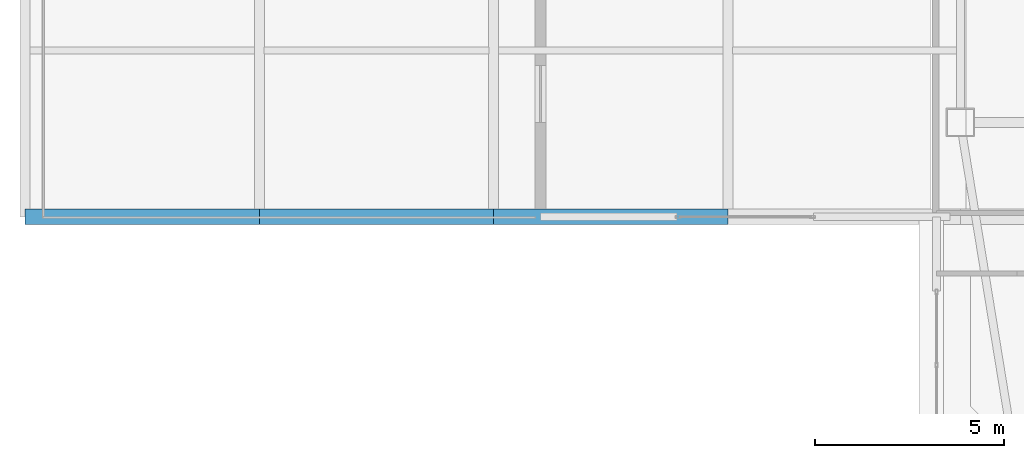
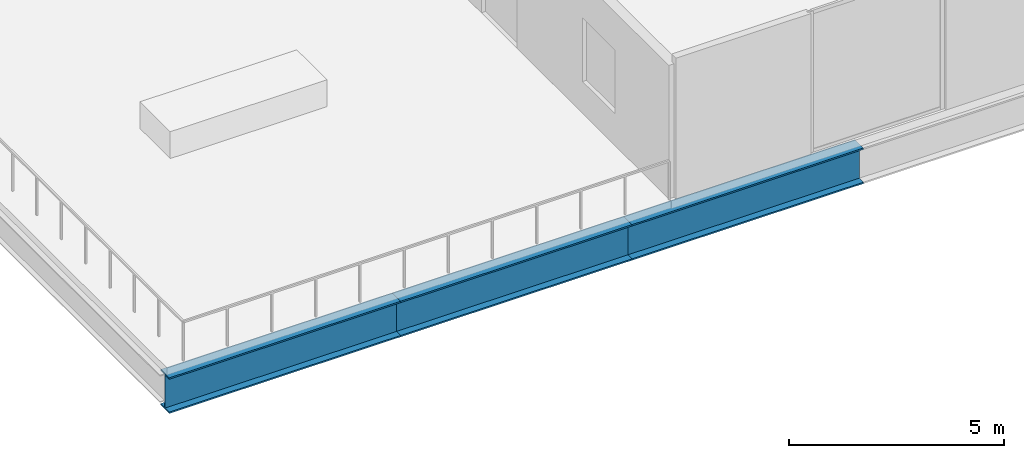
# One storey, part 3 of 51: 3 beams.
"""IFC4 building model written with IfcOpenShell, lengths in metres."""

import ifcopenshell
import ifcopenshell.guid

model = None  # the IFC model being written
_history = None  # IfcOwnerHistory: only IFC2X3 demands one
_inside = {}  # id of a spatial element -> (the spatial element, [elements in it])
_under = {}  # id of a project, library or spatial element -> (it, [spatial elements below it])
_declared = {}  # id of a project -> (the project, [libraries it declares])
_typed = {}  # id of a type object -> (the type object, [elements of that type])
_made_of = {}  # id of a material, layer set ... -> (it, [elements and type objects made of it])


def new_model(schema):
    """Start an empty IFC model of exactly this schema.

    Asked for "IFC4X3", IfcOpenShell would pick the latest addendum, in which some entities
    have other attributes; the version numbers below select the first issue.
    IFC2X3 requires an IfcOwnerHistory on every rooted entity: one is made here for all.
    """
    global model, _history
    if schema == "IFC4X3":
        model = ifcopenshell.file(schema_version=(4, 3, 0, 0))
    else:
        model = ifcopenshell.file(schema=schema)
    _inside.clear()
    _under.clear()
    _declared.clear()
    _typed.clear()
    _made_of.clear()
    _history = None
    if model.schema == "IFC2X3":
        org = make("IfcOrganization", Name="unknown")
        user = make(
            "IfcPersonAndOrganization",
            ThePerson=make("IfcPerson", FamilyName="unknown"),
            TheOrganization=org,
        )
        app = make(
            "IfcApplication",
            ApplicationDeveloper=org,
            Version="unknown",
            ApplicationFullName="unknown",
            ApplicationIdentifier="unknown",
        )
        _history = make(
            "IfcOwnerHistory",
            OwningUser=user,
            OwningApplication=app,
            ChangeAction="ADDED",
            CreationDate=0,
        )
    return model


def make(cls, **values):
    """One entity of the class cls with the attributes given. An attribute that is None is left unset."""
    return model.create_entity(
        cls, **{name: value for name, value in values.items() if value is not None}
    )


def rooted(cls, **values):
    """An entity with a GlobalId (a new one), such as an element, a storey or a relation."""
    return make(cls, GlobalId=ifcopenshell.guid.new(), OwnerHistory=_history, **values)


def si_unit(unit_type, name, prefix=None):
    """IfcSIUnit, for example si_unit("LENGTHUNIT", "METRE", prefix="MILLI")."""
    return make("IfcSIUnit", UnitType=unit_type, Prefix=prefix, Name=name)


def assignment(units):
    """IfcUnitAssignment: the units of a project."""
    return None if units is None else make("IfcUnitAssignment", Units=units)


def point(xyz):
    """IfcCartesianPoint."""
    return None if xyz is None else make("IfcCartesianPoint", Coordinates=xyz)


def direction(xyz):
    """IfcDirection."""
    return None if xyz is None else make("IfcDirection", DirectionRatios=xyz)


def frame(location, z_axis=None, x_axis=None):
    """IfcAxis2Placement3D, a coordinate frame: its origin and axes. An axis left out is left unset."""
    return make(
        "IfcAxis2Placement3D",
        Location=point(location),
        Axis=direction(z_axis),
        RefDirection=direction(x_axis),
    )


def frame_2d(location, x_axis=None):
    """IfcAxis2Placement2D, a coordinate frame in the plane: its origin and x axis."""
    return make(
        "IfcAxis2Placement2D", Location=point(location), RefDirection=direction(x_axis)
    )


def origin():
    """The frame at (0, 0, 0) with its axes left unset."""
    return frame((0.0, 0.0, 0.0))


def origin_2d():
    """The frame at (0, 0) in the plane with its x axis left unset."""
    return frame_2d((0.0, 0.0))


def place(relative_to, where):
    """IfcLocalPlacement: puts the frame where relative to a parent placement (None: the world)."""
    return make(
        "IfcLocalPlacement", PlacementRelTo=relative_to, RelativePlacement=where
    )


def context(
    kind, dimensions, precision=None, world=None, true_north=None, identifier=None
):
    """IfcGeometricRepresentationContext, for example the 3D "Model" context."""
    return make(
        "IfcGeometricRepresentationContext",
        ContextIdentifier=identifier,
        ContextType=kind,
        CoordinateSpaceDimension=dimensions,
        Precision=precision,
        WorldCoordinateSystem=world,
        TrueNorth=true_north,
    )


def subcontext(parent, identifier, kind, view, scale=None):
    """IfcGeometricRepresentationSubContext, for example "Body" below "Model"."""
    return make(
        "IfcGeometricRepresentationSubContext",
        ContextIdentifier=identifier,
        ContextType=kind,
        ParentContext=parent,
        TargetScale=scale,
        TargetView=view,
    )


def project(units=None, contexts=None):
    """IfcProject with its units and contexts."""
    return rooted(
        "IfcProject",
        Name="project",
        RepresentationContexts=contexts,
        UnitsInContext=assignment(units),
    )


def spatial(cls, under=None, at=None, **own):
    """A site, building, storey or space (cls), placed at a placement, below another one or the project."""
    s = rooted(cls, ObjectPlacement=at, **own)
    if under is not None:
        _under.setdefault(under.id(), (under, []))[1].append(s)
    return s


def profile(cls, at=None, kind="AREA", **sizes):
    """A parametric profile (cls). Its sizes go by their IFC names, for example OverallWidth=200.0."""
    return make(cls, ProfileType=kind, Position=at, **sizes)


def i_section(**sizes):
    """IfcIShapeProfileDef."""
    return profile("IfcIShapeProfileDef", **sizes)


def extrude(swept, where, along, depth):
    """IfcExtrudedAreaSolid: the profile swept, set in the frame where, extruded along a direction by depth."""
    return make(
        "IfcExtrudedAreaSolid",
        SweptArea=swept,
        Position=where,
        ExtrudedDirection=direction(along),
        Depth=depth,
    )


def shape(context_of_items, identifier, shape_type, items):
    """IfcShapeRepresentation: the items that make up one representation, for example the "Body"."""
    return make(
        "IfcShapeRepresentation",
        ContextOfItems=context_of_items,
        RepresentationIdentifier=identifier,
        RepresentationType=shape_type,
        Items=items,
    )


def material(Name=None, Category=None):
    """IfcMaterial."""
    return make("IfcMaterial", Name=Name, Category=Category)


def material_profile(
    of_material, cross_section, Name=None, Category=None, Priority=None
):
    """IfcMaterialProfile: a cross section and its material."""
    return make(
        "IfcMaterialProfile",
        Name=Name,
        Material=of_material,
        Profile=cross_section,
        Priority=Priority,
        Category=Category,
    )


def profile_set(profiles, Name=None, composite=None):
    """IfcMaterialProfileSet."""
    return make(
        "IfcMaterialProfileSet",
        Name=Name,
        MaterialProfiles=profiles,
        CompositeProfile=composite,
    )


def made_of(thing, what):
    """Note that an element or type object is made of a material, layer set ...; save() writes the relation."""
    if what is not None:
        _made_of.setdefault(what.id(), (what, []))[1].append(thing)
    return thing


def type_object(cls, material=None, **own):
    """A type object (cls), such as IfcWallType, which elements share."""
    return made_of(rooted(cls, **own), material)


def element(
    cls,
    number,
    at=None,
    inside=None,
    cuts=None,
    type_object=None,
    material=None,
    context=None,
    identifier="Body",
    shape_type=None,
    held_by="IfcProductDefinitionShape",
    body=None,
    shapes=None,
    **own,
):
    """One element of the class cls, such as IfcWall. Its Tag is "e" and its number.

    at: its placement. inside: the storey or other place that contains it. cuts: it is an
    opening in that element (IfcRelVoidsElement). A single representation is given by context,
    identifier, shape_type and body (its items); several are given by shapes. held_by: the class
    of the entity that holds the representations. save() writes the other relations.
    """
    e = rooted(cls, Tag="e%d" % number, ObjectPlacement=at, **own)
    if body is not None:
        shapes = [shape(context, identifier, shape_type, body)]
    if shapes is not None:
        e.Representation = make(held_by, Representations=shapes)
    if inside is not None:
        _inside.setdefault(inside.id(), (inside, []))[1].append(e)
    if cuts is not None:
        rooted(
            "IfcRelVoidsElement", RelatingBuildingElement=cuts, RelatedOpeningElement=e
        )
    if type_object is not None:
        _typed.setdefault(type_object.id(), (type_object, []))[1].append(e)
    return made_of(e, material)


def aggregate(whole, parts):
    """IfcRelAggregates: a whole, such as a stair, and the parts it consists of."""
    return rooted("IfcRelAggregates", RelatingObject=whole, RelatedObjects=parts)


def save(model, path):
    """Write the relations noted so far, then the file.

    IfcRelAggregates (storeys below a building ...), IfcRelContainedInSpatialStructure (elements
    in a storey), IfcRelDefinesByType, IfcRelAssociatesMaterial and IfcRelDeclares: one each for
    every whole, place, type object, material and project.
    """
    for whole, parts in _under.values():
        aggregate(whole, parts)
    for where, things in _inside.values():
        rooted(
            "IfcRelContainedInSpatialStructure",
            RelatedElements=things,
            RelatingStructure=where,
        )
    for kind, things in _typed.values():
        rooted("IfcRelDefinesByType", RelatedObjects=things, RelatingType=kind)
    for what, things in _made_of.values():
        rooted("IfcRelAssociatesMaterial", RelatedObjects=things, RelatingMaterial=what)
    for by, libraries in _declared.values():
        rooted("IfcRelDeclares", RelatingContext=by, RelatedDefinitions=libraries)
    model.write(path)


model = new_model("IFC4")

# Units and contexts
model_context = context("Model", 3, precision=1e-05, world=origin(), true_north=direction((0.0, 1.0)))
body_context = subcontext(model_context, "Body", "Model", "MODEL_VIEW")
ifc_project = project(units=[si_unit("LENGTHUNIT", "METRE"), si_unit("AREAUNIT", "SQUARE_METRE"), si_unit("VOLUMEUNIT", "CUBIC_METRE"), si_unit("PLANEANGLEUNIT", "RADIAN"), si_unit("MASSUNIT", "GRAM", prefix="KILO")], contexts=[model_context])

# Site, building, storey
site_placement = place(None, origin())
site = spatial("IfcSite", under=ifc_project, at=site_placement, CompositionType="ELEMENT")
building_placement = place(site_placement, origin())
building = spatial("IfcBuilding", under=site, at=building_placement, Name="Tashvorn Skyway Center", CompositionType="ELEMENT")
storey_placement = place(building_placement, frame((0.0, 0.0, 251.39990234375)))
storey = spatial("IfcBuildingStorey", under=building, at=storey_placement, Name="L68", CompositionType="ELEMENT", Elevation=251.39990234375)

# Beams
ifc_material = material(Name="Steel ASTM A913 Grade 65", Category="steel")
ifc_material_profile = material_profile(ifc_material, i_section(OverallWidth=0.40087890625, OverallDepth=1.010986328125, WebThickness=0.023681640625, FlangeThickness=0.0419921875, at=origin_2d()), Name="W40X297")
ifc_profile_set = profile_set([ifc_material_profile], Name="Steel ASTM A913 Grade 65")
beam_type = type_object("IfcBeamType", Name="BM-BEAM-W40X297", PredefinedType="BEAM", material=ifc_profile_set)
beam_1_placement = place(storey_placement, frame((2.199951171875, 24.10009765625, -0.725341796875), z_axis=(1.0, 0.0, 0.0), x_axis=(0.0, 1.0, 0.0)))
element("IfcBeam", 1, at=beam_1_placement, inside=storey, type_object=beam_type, Name="Sky-Park Truss 1 Bottom Chord Panel 01", PredefinedType="BEAM", context=body_context, shape_type="SweptSolid", body=[
    extrude(i_section(OverallWidth=0.40087890625, OverallDepth=1.010986328125, WebThickness=0.023681640625, FlangeThickness=0.0419921875, at=origin_2d()), origin(), (0.0, 0.0, 1.0), 6.199951171875),
])
beam_2_placement = place(storey_placement, frame((8.39990234375, 24.10009765625, -0.725341796875), z_axis=(1.0, 0.0, 0.0), x_axis=(0.0, 1.0, 0.0)))
element("IfcBeam", 2, at=beam_2_placement, inside=storey, type_object=beam_type, Name="Sky-Park Truss 1 Bottom Chord Panel 02", PredefinedType="BEAM", context=body_context, shape_type="SweptSolid", body=[
    extrude(i_section(OverallWidth=0.40087890625, OverallDepth=1.010986328125, WebThickness=0.023681640625, FlangeThickness=0.0419921875, at=origin_2d()), origin(), (0.0, 0.0, 1.0), 6.2001953125),
])
beam_3_placement = place(storey_placement, frame((14.60009765625, 24.10009765625, -0.725341796875), z_axis=(1.0, 0.0, 0.0), x_axis=(0.0, 1.0, 0.0)))
element("IfcBeam", 3, at=beam_3_placement, inside=storey, type_object=beam_type, Name="Sky-Park Truss 1 Bottom Chord Panel 03", PredefinedType="BEAM", context=body_context, shape_type="SweptSolid", body=[
    extrude(i_section(OverallWidth=0.40087890625, OverallDepth=1.010986328125, WebThickness=0.023681640625, FlangeThickness=0.0419921875, at=origin_2d()), origin(), (0.0, 0.0, 1.0), 6.199951171875),
])

save(model, "model.ifc")
